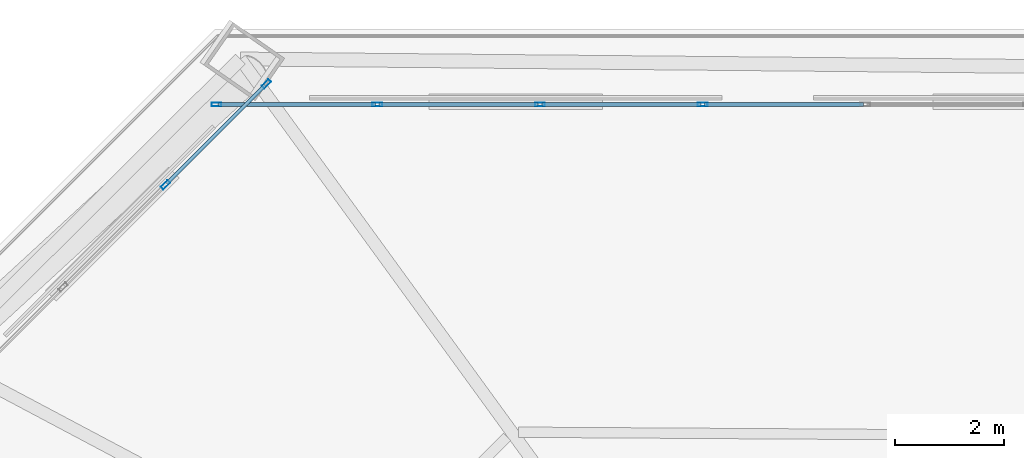
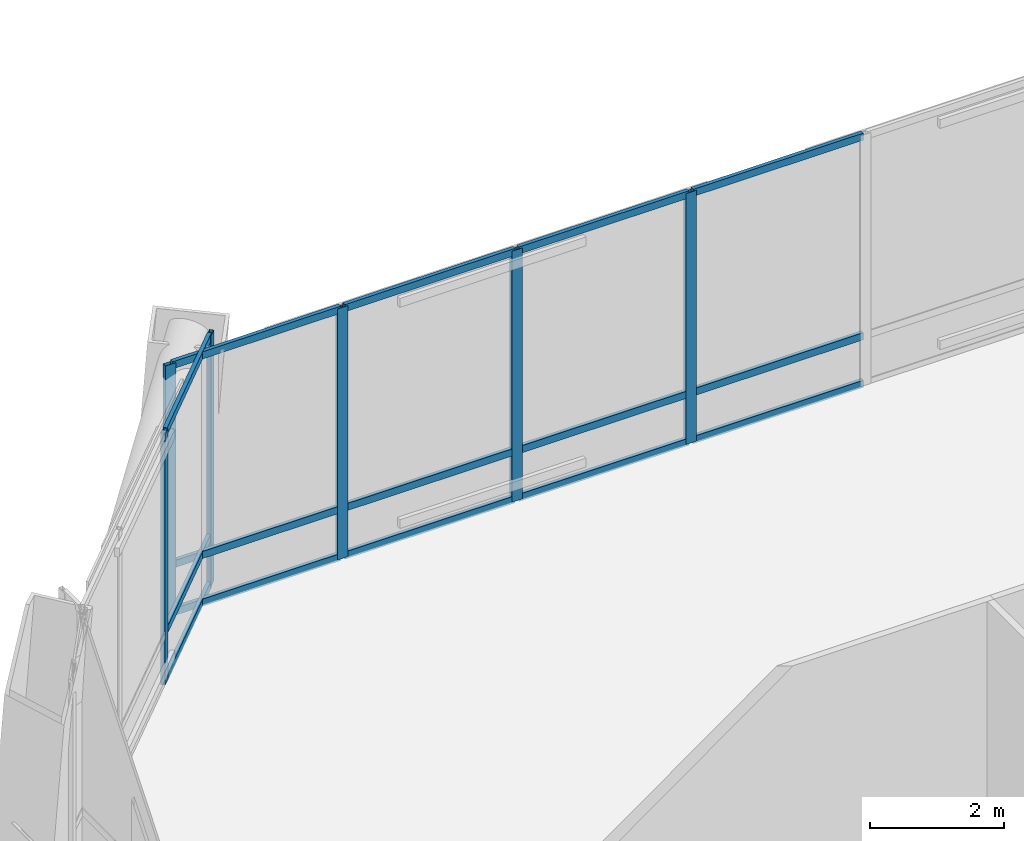
# One storey, part 33 of 48: 21 members, 2 elements without a shape of their own.
"""IFC4 building model written with IfcOpenShell, lengths in metres."""

from ifc_helpers import new_model, si_unit, direction, frame, origin, origin_2d, place, context, subcontext, project, spatial, hollow_rectangle, extrude, material, layer, layer_set, material_profile, profile_set, type_object, element, aggregate, save


model = new_model("IFC4")

# Units and contexts
model_context = context("Model", 3, precision=1e-05, world=origin(), true_north=direction((0.0, 1.0)))
body_context = subcontext(model_context, "Body", "Model", "MODEL_VIEW")
ifc_project = project(units=[si_unit("LENGTHUNIT", "METRE"), si_unit("AREAUNIT", "SQUARE_METRE"), si_unit("VOLUMEUNIT", "CUBIC_METRE"), si_unit("PLANEANGLEUNIT", "RADIAN"), si_unit("MASSUNIT", "GRAM", prefix="KILO")], contexts=[model_context])

# Site, building, storey
site_placement = place(None, origin())
site = spatial("IfcSite", under=ifc_project, at=site_placement, CompositionType="ELEMENT")
building_placement = place(site_placement, origin())
building = spatial("IfcBuilding", under=site, at=building_placement, Name="Caelvoria Tower", CompositionType="ELEMENT")
storey_placement = place(building_placement, frame((0.0, 0.0, 90.39990234375)))
storey = spatial("IfcBuildingStorey", under=building, at=storey_placement, Name="L23", CompositionType="ELEMENT", Elevation=90.39990234375)

# Curtain wall, members
ifc_material_1 = material(Name="Anodised Bronze Aluminium and Low-E Glass", Category="aluminium")
ifc_layer = layer(ifc_material_1, 0.2099609375, Name="Anodised Bronze Aluminium and Low-E Glass")
ifc_layer_set = layer_set([ifc_layer], Name="CW System 3 Sky Lobby Double-Height Acoustic Facade - Anodised Bronze Aluminium and Low-E Glass")
curtain_wall_type = type_object("IfcCurtainWallType", Name="CW System 3 Sky Lobby Double-Height Acoustic Facade", PredefinedType="NOTDEFINED", material=ifc_layer_set)
curtain_wall_1_placement = place(storey_placement, origin())
curtain_wall_1 = element("IfcCurtainWall", 1, at=curtain_wall_1_placement, inside=storey, type_object=curtain_wall_type, Name="CW-03 Curtain Wall L23-E4", PredefinedType="NOTDEFINED")
ifc_material_2 = material(Name="Anodised Bronze Architectural Aluminium", Category="aluminium")
ifc_material_profile_1 = material_profile(ifc_material_2, hollow_rectangle(XDim=0.070068359375, YDim=0.179931640625, WallThickness=0.00390625, at=origin_2d()), Name="Anodised Bronze Architectural Aluminium")
ifc_profile_set_1 = profile_set([ifc_material_profile_1], Name="CW_MULL_70X180 - Anodised Bronze Architectural Aluminium")
member_type_1 = type_object("IfcMemberType", Name="Curtain Wall Mullion 70x180 Bronze Aluminium", PredefinedType="MULLION", material=ifc_profile_set_1)
member_1_placement = place(storey_placement, frame((35.517822265625, 52.9033203125, 0.0), z_axis=(0.0, 0.0, 1.0), x_axis=(0.0, -1.0, 0.0)))
member_1 = element("IfcMember", 2, at=member_1_placement, type_object=member_type_1, Name="CW-03 mullion 11", PredefinedType="MULLION", context=body_context, shape_type="SweptSolid", body=[
    extrude(hollow_rectangle(XDim=0.070068359375, YDim=0.179931640625, WallThickness=0.00390625, at=origin_2d()), origin(), (0.0, 0.0, 1.0), 4.56005859375),
])
member_2_placement = place(storey_placement, frame((32.52294921875, 52.9033203125, 0.0), z_axis=(0.0, 0.0, 1.0), x_axis=(0.0, -1.0, 0.0)))
member_2 = element("IfcMember", 3, at=member_2_placement, type_object=member_type_1, Name="CW-03 mullion 12", PredefinedType="MULLION", context=body_context, shape_type="SweptSolid", body=[
    extrude(hollow_rectangle(XDim=0.070068359375, YDim=0.179931640625, WallThickness=0.00390625, at=origin_2d()), origin(), (0.0, 0.0, 1.0), 4.56005859375),
])
member_3_placement = place(storey_placement, frame((29.528076171875, 52.9033203125, 0.0), z_axis=(0.0, 0.0, 1.0), x_axis=(0.0, -1.0, 0.0)))
member_3 = element("IfcMember", 4, at=member_3_placement, type_object=member_type_1, Name="CW-03 mullion 13", PredefinedType="MULLION", context=body_context, shape_type="SweptSolid", body=[
    extrude(hollow_rectangle(XDim=0.070068359375, YDim=0.179931640625, WallThickness=0.00390625, at=origin_2d()), origin(), (0.0, 0.0, 1.0), 4.56005859375),
])
member_4_placement = place(storey_placement, frame((26.568359375, 52.9033203125, 0.0), z_axis=(0.0, 0.0, 1.0), x_axis=(0.0, -1.0, 0.0)))
member_4 = element("IfcMember", 5, at=member_4_placement, type_object=member_type_1, Name="CW-03 mullion 14", PredefinedType="MULLION", context=body_context, shape_type="SweptSolid", body=[
    extrude(hollow_rectangle(XDim=0.070068359375, YDim=0.179931640625, WallThickness=0.00390625, at=origin_2d()), origin(), (0.0, 0.0, 1.0), 4.56005859375),
])

curtain_wall_2_placement = place(storey_placement, origin())
curtain_wall_2 = element("IfcCurtainWall", 6, at=curtain_wall_2_placement, inside=storey, type_object=curtain_wall_type, Name="CW-03 Curtain Wall L23-E5", PredefinedType="NOTDEFINED")
member_5_placement = place(storey_placement, frame((27.484375, 53.28271484375, 0.0), z_axis=(0.0, 0.0, 1.0), x_axis=(0.707106781187, -0.707106781187, 0.0)))
member_5 = element("IfcMember", 7, at=member_5_placement, type_object=member_type_1, Name="CW-03 mullion 1", PredefinedType="MULLION", context=body_context, shape_type="SweptSolid", body=[
    extrude(hollow_rectangle(XDim=0.070068359375, YDim=0.179931640625, WallThickness=0.00390625, at=origin_2d()), origin(), (0.0, 0.0, 1.0), 4.56005859375),
])
member_6_placement = place(storey_placement, frame((25.625732421875, 51.424072265625, 0.0), z_axis=(0.0, 0.0, 1.0), x_axis=(0.707106781187, -0.707106781187, 0.0)))
member_6 = element("IfcMember", 8, at=member_6_placement, type_object=member_type_1, Name="CW-03 mullion 2", PredefinedType="MULLION", context=body_context, shape_type="SweptSolid", body=[
    extrude(hollow_rectangle(XDim=0.070068359375, YDim=0.179931640625, WallThickness=0.00390625, at=origin_2d()), origin(), (0.0, 0.0, 1.0), 4.56005859375),
])

# Member
ifc_material_profile_2 = material_profile(ifc_material_2, hollow_rectangle(XDim=0.06494140625, YDim=0.1298828125, WallThickness=0.00341796875, at=origin_2d()), Name="Anodised Bronze Architectural Aluminium")
ifc_profile_set_2 = profile_set([ifc_material_profile_2], Name="CW_TRAN_65X130 - Anodised Bronze Architectural Aluminium")
member_type_2 = type_object("IfcMemberType", Name="Curtain Wall Transom 65x130 Bronze Aluminium", PredefinedType="USERDEFINED", material=ifc_profile_set_2)
member_7_placement = place(storey_placement, frame((38.477783203125, 52.9033203125, 0.03271484375), z_axis=(-1.0, 0.0, 0.0), x_axis=(0.0, -1.0, 0.0)))
member_7 = element("IfcMember", 9, at=member_7_placement, type_object=member_type_2, Name="CW-03 transom 10.1", ObjectType="TRANSOM", PredefinedType="USERDEFINED", context=body_context, shape_type="SweptSolid", body=[
    extrude(hollow_rectangle(XDim=0.06494140625, YDim=0.1298828125, WallThickness=0.00341796875, at=origin_2d()), origin(), (0.0, 0.0, 1.0), 2.9248046875),
])

member_8_placement = place(storey_placement, frame((38.477783203125, 52.9033203125, 0.900146484375), z_axis=(-1.0, 0.0, 0.0), x_axis=(0.0, -1.0, 0.0)))
member_8 = element("IfcMember", 10, at=member_8_placement, type_object=member_type_2, Name="CW-03 transom 10.2", ObjectType="TRANSOM", PredefinedType="USERDEFINED", context=body_context, shape_type="SweptSolid", body=[
    extrude(hollow_rectangle(XDim=0.06494140625, YDim=0.1298828125, WallThickness=0.00341796875, at=origin_2d()), origin(), (0.0, 0.0, 1.0), 2.9248046875),
])

member_9_placement = place(storey_placement, frame((38.477783203125, 52.9033203125, 4.527587890625), z_axis=(-1.0, 0.0, 0.0), x_axis=(0.0, -1.0, 0.0)))
member_9 = element("IfcMember", 11, at=member_9_placement, type_object=member_type_2, Name="CW-03 transom 10.3", ObjectType="TRANSOM", PredefinedType="USERDEFINED", context=body_context, shape_type="SweptSolid", body=[
    extrude(hollow_rectangle(XDim=0.06494140625, YDim=0.1298828125, WallThickness=0.00341796875, at=origin_2d()), origin(), (0.0, 0.0, 1.0), 2.9248046875),
])

member_10_placement = place(storey_placement, frame((35.48291015625, 52.9033203125, 0.03271484375), z_axis=(-1.0, 0.0, 0.0), x_axis=(0.0, -1.0, 0.0)))
member_10 = element("IfcMember", 12, at=member_10_placement, type_object=member_type_2, Name="CW-03 transom 11.1", ObjectType="TRANSOM", PredefinedType="USERDEFINED", context=body_context, shape_type="SweptSolid", body=[
    extrude(hollow_rectangle(XDim=0.06494140625, YDim=0.1298828125, WallThickness=0.00341796875, at=origin_2d()), origin(), (0.0, 0.0, 1.0), 2.9248046875),
])

member_11_placement = place(storey_placement, frame((35.48291015625, 52.9033203125, 0.900146484375), z_axis=(-1.0, 0.0, 0.0), x_axis=(0.0, -1.0, 0.0)))
member_11 = element("IfcMember", 13, at=member_11_placement, type_object=member_type_2, Name="CW-03 transom 11.2", ObjectType="TRANSOM", PredefinedType="USERDEFINED", context=body_context, shape_type="SweptSolid", body=[
    extrude(hollow_rectangle(XDim=0.06494140625, YDim=0.1298828125, WallThickness=0.00341796875, at=origin_2d()), origin(), (0.0, 0.0, 1.0), 2.9248046875),
])

member_12_placement = place(storey_placement, frame((35.48291015625, 52.9033203125, 4.527587890625), z_axis=(-1.0, 0.0, 0.0), x_axis=(0.0, -1.0, 0.0)))
member_12 = element("IfcMember", 14, at=member_12_placement, type_object=member_type_2, Name="CW-03 transom 11.3", ObjectType="TRANSOM", PredefinedType="USERDEFINED", context=body_context, shape_type="SweptSolid", body=[
    extrude(hollow_rectangle(XDim=0.06494140625, YDim=0.1298828125, WallThickness=0.00341796875, at=origin_2d()), origin(), (0.0, 0.0, 1.0), 2.9248046875),
])

member_13_placement = place(storey_placement, frame((32.488037109375, 52.9033203125, 0.03271484375), z_axis=(-1.0, 0.0, 0.0), x_axis=(0.0, -1.0, 0.0)))
member_13 = element("IfcMember", 15, at=member_13_placement, type_object=member_type_2, Name="CW-03 transom 12.1", ObjectType="TRANSOM", PredefinedType="USERDEFINED", context=body_context, shape_type="SweptSolid", body=[
    extrude(hollow_rectangle(XDim=0.06494140625, YDim=0.1298828125, WallThickness=0.00341796875, at=origin_2d()), origin(), (0.0, 0.0, 1.0), 2.9248046875),
])

member_14_placement = place(storey_placement, frame((32.488037109375, 52.9033203125, 0.900146484375), z_axis=(-1.0, 0.0, 0.0), x_axis=(0.0, -1.0, 0.0)))
member_14 = element("IfcMember", 16, at=member_14_placement, type_object=member_type_2, Name="CW-03 transom 12.2", ObjectType="TRANSOM", PredefinedType="USERDEFINED", context=body_context, shape_type="SweptSolid", body=[
    extrude(hollow_rectangle(XDim=0.06494140625, YDim=0.1298828125, WallThickness=0.00341796875, at=origin_2d()), origin(), (0.0, 0.0, 1.0), 2.9248046875),
])

member_15_placement = place(storey_placement, frame((32.488037109375, 52.9033203125, 4.527587890625), z_axis=(-1.0, 0.0, 0.0), x_axis=(0.0, -1.0, 0.0)))
member_15 = element("IfcMember", 17, at=member_15_placement, type_object=member_type_2, Name="CW-03 transom 12.3", ObjectType="TRANSOM", PredefinedType="USERDEFINED", context=body_context, shape_type="SweptSolid", body=[
    extrude(hollow_rectangle(XDim=0.06494140625, YDim=0.1298828125, WallThickness=0.00341796875, at=origin_2d()), origin(), (0.0, 0.0, 1.0), 2.9248046875),
])

member_16_placement = place(storey_placement, frame((29.4931640625, 52.9033203125, 0.03271484375), z_axis=(-1.0, 0.0, 0.0), x_axis=(0.0, -1.0, 0.0)))
member_16 = element("IfcMember", 18, at=member_16_placement, type_object=member_type_2, Name="CW-03 transom 13.1", ObjectType="TRANSOM", PredefinedType="USERDEFINED", context=body_context, shape_type="SweptSolid", body=[
    extrude(hollow_rectangle(XDim=0.06494140625, YDim=0.1298828125, WallThickness=0.00341796875, at=origin_2d()), origin(), (0.0, 0.0, 1.0), 2.889892578125),
])

member_17_placement = place(storey_placement, frame((29.4931640625, 52.9033203125, 0.900146484375), z_axis=(-1.0, 0.0, 0.0), x_axis=(0.0, -1.0, 0.0)))
member_17 = element("IfcMember", 19, at=member_17_placement, type_object=member_type_2, Name="CW-03 transom 13.2", ObjectType="TRANSOM", PredefinedType="USERDEFINED", context=body_context, shape_type="SweptSolid", body=[
    extrude(hollow_rectangle(XDim=0.06494140625, YDim=0.1298828125, WallThickness=0.00341796875, at=origin_2d()), origin(), (0.0, 0.0, 1.0), 2.889892578125),
])

member_18_placement = place(storey_placement, frame((29.4931640625, 52.9033203125, 4.527587890625), z_axis=(-1.0, 0.0, 0.0), x_axis=(0.0, -1.0, 0.0)))
member_18 = element("IfcMember", 20, at=member_18_placement, type_object=member_type_2, Name="CW-03 transom 13.3", ObjectType="TRANSOM", PredefinedType="USERDEFINED", context=body_context, shape_type="SweptSolid", body=[
    extrude(hollow_rectangle(XDim=0.06494140625, YDim=0.1298828125, WallThickness=0.00341796875, at=origin_2d()), origin(), (0.0, 0.0, 1.0), 2.889892578125),
])

aggregate(curtain_wall_1, [member_1, member_2, member_3, member_4, member_7, member_8, member_9, member_10, member_11, member_12, member_13, member_14, member_15, member_16, member_17, member_18])

member_19_placement = place(storey_placement, frame((27.459716796875, 53.258056640625, 0.03271484375), z_axis=(-0.707106781187, -0.707106781187, 0.0), x_axis=(0.707106781187, -0.707106781187, 0.0)))
member_19 = element("IfcMember", 21, at=member_19_placement, type_object=member_type_2, Name="CW-03 transom 1.1", ObjectType="TRANSOM", PredefinedType="USERDEFINED", context=body_context, shape_type="SweptSolid", body=[
    extrude(hollow_rectangle(XDim=0.06494140625, YDim=0.1298828125, WallThickness=0.00341796875, at=origin_2d()), origin(), (0.0, 0.0, 1.0), 2.558349609375),
])

member_20_placement = place(storey_placement, frame((27.459716796875, 53.258056640625, 0.900146484375), z_axis=(-0.707106781187, -0.707106781187, 0.0), x_axis=(0.707106781187, -0.707106781187, 0.0)))
member_20 = element("IfcMember", 22, at=member_20_placement, type_object=member_type_2, Name="CW-03 transom 1.2", ObjectType="TRANSOM", PredefinedType="USERDEFINED", context=body_context, shape_type="SweptSolid", body=[
    extrude(hollow_rectangle(XDim=0.06494140625, YDim=0.1298828125, WallThickness=0.00341796875, at=origin_2d()), origin(), (0.0, 0.0, 1.0), 2.558349609375),
])

member_21_placement = place(storey_placement, frame((27.459716796875, 53.258056640625, 4.527587890625), z_axis=(-0.707106781187, -0.707106781187, 0.0), x_axis=(0.707106781187, -0.707106781187, 0.0)))
member_21 = element("IfcMember", 23, at=member_21_placement, type_object=member_type_2, Name="CW-03 transom 1.3", ObjectType="TRANSOM", PredefinedType="USERDEFINED", context=body_context, shape_type="SweptSolid", body=[
    extrude(hollow_rectangle(XDim=0.06494140625, YDim=0.1298828125, WallThickness=0.00341796875, at=origin_2d()), origin(), (0.0, 0.0, 1.0), 2.558349609375),
])

aggregate(curtain_wall_2, [member_5, member_6, member_19, member_20, member_21])

save(model, "model.ifc")
